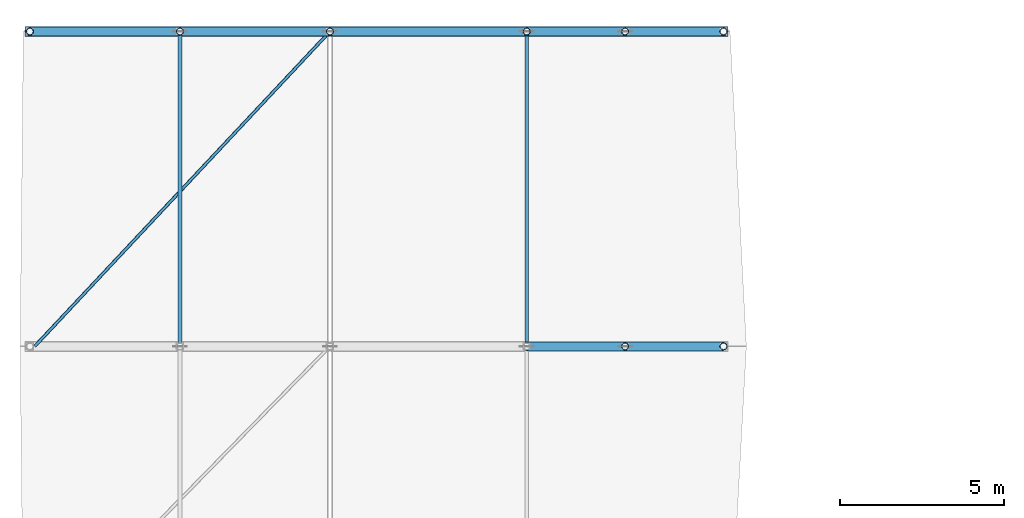
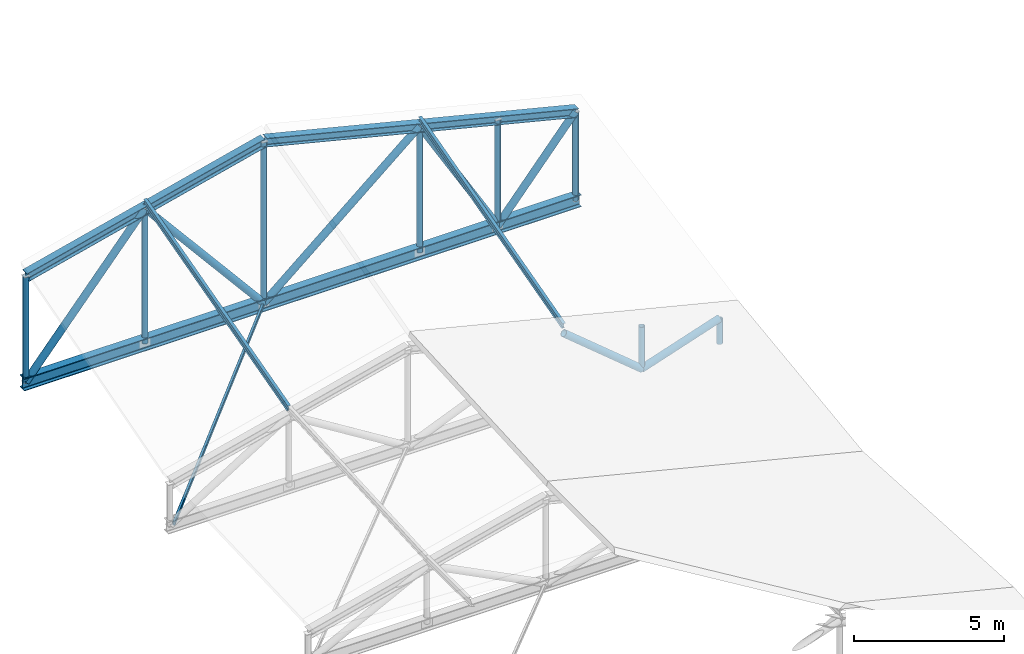
# One storey, part 22 of 61: 20 members, 1 beam.
"""IFC4 building model written with IfcOpenShell, lengths in metres."""

from ifc_helpers import new_model, si_unit, direction, frame, origin, origin_2d, place, context, subcontext, project, spatial, hollow_rectangle, hollow_circle, i_section, extrude, material, material_profile, profile_set, type_object, element, save


model = new_model("IFC4")

# Units and contexts
model_context = context("Model", 3, precision=1e-05, world=origin(), true_north=direction((0.0, 1.0)))
body_context = subcontext(model_context, "Body", "Model", "MODEL_VIEW")
ifc_project = project(units=[si_unit("LENGTHUNIT", "METRE"), si_unit("AREAUNIT", "SQUARE_METRE"), si_unit("VOLUMEUNIT", "CUBIC_METRE"), si_unit("PLANEANGLEUNIT", "RADIAN"), si_unit("MASSUNIT", "GRAM", prefix="KILO")], contexts=[model_context])

# Site, building, storey
site_placement = place(None, origin())
site = spatial("IfcSite", under=ifc_project, at=site_placement, CompositionType="ELEMENT")
building_placement = place(site_placement, origin())
building = spatial("IfcBuilding", under=site, at=building_placement, Name="Bozkorgan Art Gallery", CompositionType="ELEMENT")
storey_placement = place(building_placement, frame((0.0, 0.0, 10.199951171875)))
storey = spatial("IfcBuildingStorey", under=building, at=storey_placement, Name="L02", CompositionType="ELEMENT", Elevation=10.199951171875)

# Beam
ifc_material = material(Name="Steel S355J2", Category="steel")
ifc_material_profile_1 = material_profile(ifc_material, i_section(OverallWidth=0.300048828125, OverallDepth=0.5, WebThickness=0.014404296875, FlangeThickness=0.028076171875, FilletRadius=0.027099609375, at=origin_2d()), Name="HEB 500")
ifc_profile_set_1 = profile_set([ifc_material_profile_1], Name="Steel S355J2")
beam_type = type_object("IfcBeamType", Name="BEAM-TO-52", PredefinedType="BEAM", material=ifc_profile_set_1)
beam_placement = place(storey_placement, frame((1.7099609375, 112.39990234375, 0.25), z_axis=(1.0, 0.0, 0.0), x_axis=(0.0, 1.0, 0.0)))
element("IfcBeam", 1, at=beam_placement, inside=storey, type_object=beam_type, Name="ROOF-V2-MAIN roof truss 8 bottom chord", PredefinedType="BEAM", context=body_context, shape_type="SweptSolid", body=[
    extrude(i_section(OverallWidth=0.300048828125, OverallDepth=0.5, WebThickness=0.014404296875, FlangeThickness=0.028076171875, FilletRadius=0.027099609375, at=origin_2d()), origin(), (0.0, 0.0, 1.0), 21.429931640625),
])

# Members
ifc_material_profile_2 = material_profile(ifc_material, i_section(OverallWidth=0.1201171875, OverallDepth=0.239990234375, WebThickness=0.006103515625, FlangeThickness=0.009765625, FilletRadius=0.014892578125, at=origin_2d()), Name="IPE 240")
ifc_profile_set_2 = profile_set([ifc_material_profile_2], Name="Steel S355J2")
member_type_1 = type_object("IfcMemberType", Name="MEMBER-PR-34", PredefinedType="PURLIN", material=ifc_profile_set_2)
for number, where, z_axis, x_axis, name in (
    (2, (6.425048828125, 102.800048828125, 3.39306640625), (0.0, 0.965012018837, 0.26220565116), (-1.0, 0.0, 0.0), "ROOF-V2-MAIN roof purlin 7W"),
    (3, (17.0, 102.800048828125, 3.03759765625), (0.0, 0.965012018837, 0.26220565116), (-1.0, 0.0, 0.0), "ROOF-V2-MAIN roof purlin 7E"),
):
    element("IfcMember", number, at=place(storey_placement, frame(where, z_axis=z_axis, x_axis=x_axis)), inside=storey, type_object=member_type_1, Name=name, PredefinedType="PURLIN", context=body_context, shape_type="SweptSolid", body=[
        extrude(i_section(OverallWidth=0.1201171875, OverallDepth=0.239990234375, WebThickness=0.006103515625, FlangeThickness=0.009765625, FilletRadius=0.014892578125, at=origin_2d()), origin(), (0.0, 0.0, 1.0), 9.947998046875),
    ])
ifc_material_profile_3 = material_profile(ifc_material, i_section(OverallWidth=0.300048828125, OverallDepth=0.35009765625, WebThickness=0.010009765625, FlangeThickness=0.017578125, FilletRadius=0.027099609375, at=origin_2d()), Name="HEA 360")
ifc_profile_set_3 = profile_set([ifc_material_profile_3], Name="Steel S355J2")
member_type_2 = type_object("IfcMemberType", Name="MEMBER-TC-31", PredefinedType="CHORD", material=ifc_profile_set_3)
member_1_placement = place(storey_placement, frame((1.85009765625, 112.39990234375, 4.565673828125), z_axis=(0.97029156257, 0.0, 0.241938594701), x_axis=(0.0, 1.0, 0.0)))
element("IfcMember", 4, at=member_1_placement, inside=storey, type_object=member_type_2, Name="ROOF-V2-MAIN roof truss 8 west top chord", PredefinedType="CHORD", context=body_context, shape_type="SweptSolid", body=[
    extrude(i_section(OverallWidth=0.300048828125, OverallDepth=0.35009765625, WebThickness=0.010009765625, FlangeThickness=0.017578125, FilletRadius=0.027099609375, at=origin_2d()), origin(), (0.0, 0.0, 1.0), 9.43017578125),
])
member_2_placement = place(storey_placement, frame((11.0, 112.39990234375, 6.84716796875), z_axis=(0.970295587241, 0.0, -0.24192245324), x_axis=(0.0, 1.0, 0.0)))
element("IfcMember", 5, at=member_2_placement, inside=storey, type_object=member_type_2, Name="ROOF-V2-MAIN roof truss 8 east top chord", PredefinedType="CHORD", context=body_context, shape_type="SweptSolid", body=[
    extrude(i_section(OverallWidth=0.300048828125, OverallDepth=0.35009765625, WebThickness=0.010009765625, FlangeThickness=0.017578125, FilletRadius=0.027099609375, at=origin_2d()), origin(), (0.0, 0.0, 1.0), 12.367431640625),
])
ifc_material_profile_4 = material_profile(ifc_material, hollow_circle(Radius=0.109619140625, WallThickness=0.010009765625, at=origin_2d()), Name="CHS 219.1x10")
ifc_profile_set_4 = profile_set([ifc_material_profile_4], Name="Steel S355J2")
member_type_3 = type_object("IfcMemberType", Name="MEMBER-TP-78", PredefinedType="POST", material=ifc_profile_set_4)
member_3_placement = place(storey_placement, frame((20.0, 102.800048828125, 0.25), z_axis=(0.0, 0.0, 1.0), x_axis=(1.0, 0.0, 0.0)))
element("IfcMember", 6, at=member_3_placement, inside=storey, type_object=member_type_3, Name="ROOF-V2-MAIN roof truss 7 post 4", PredefinedType="POST", context=body_context, shape_type="SweptSolid", body=[
    extrude(hollow_circle(Radius=0.109619140625, WallThickness=0.010009765625, at=origin_2d()), origin(), (0.0, 0.0, 1.0), 1.74462890625),
])
member_4_placement = place(storey_placement, frame((23.0, 102.800048828125, 0.25), z_axis=(0.0, 0.0, 1.0), x_axis=(1.0, 0.0, 0.0)))
element("IfcMember", 7, at=member_4_placement, inside=storey, type_object=member_type_3, Name="ROOF-V2-MAIN roof truss 7 post 5", PredefinedType="POST", context=body_context, shape_type="SweptSolid", body=[
    extrude(hollow_circle(Radius=0.109619140625, WallThickness=0.010009765625, at=origin_2d()), origin(), (0.0, 0.0, 1.0), 0.996826171875),
])
member_5_placement = place(storey_placement, frame((1.85009765625, 112.39990234375, 0.25), z_axis=(0.0, 0.0, 1.0), x_axis=(1.0, 0.0, 0.0)))
element("IfcMember", 8, at=member_5_placement, inside=storey, type_object=member_type_3, Name="ROOF-V2-MAIN roof truss 8 post 0", PredefinedType="POST", context=body_context, shape_type="SweptSolid", body=[
    extrude(hollow_circle(Radius=0.109619140625, WallThickness=0.010009765625, at=origin_2d()), origin(), (0.0, 0.0, 1.0), 4.315673828125),
])
member_6_placement = place(storey_placement, frame((6.425048828125, 112.39990234375, 0.25), z_axis=(0.0, 0.0, 1.0), x_axis=(1.0, 0.0, 0.0)))
element("IfcMember", 9, at=member_6_placement, inside=storey, type_object=member_type_3, Name="ROOF-V2-MAIN roof truss 8 post 1", PredefinedType="POST", context=body_context, shape_type="SweptSolid", body=[
    extrude(hollow_circle(Radius=0.109619140625, WallThickness=0.010009765625, at=origin_2d()), origin(), (0.0, 0.0, 1.0), 5.456298828125),
])
member_7_placement = place(storey_placement, frame((11.0, 112.39990234375, 0.25), z_axis=(0.0, 0.0, 1.0), x_axis=(1.0, 0.0, 0.0)))
element("IfcMember", 10, at=member_7_placement, inside=storey, type_object=member_type_3, Name="ROOF-V2-MAIN roof truss 8 post 2", PredefinedType="POST", context=body_context, shape_type="SweptSolid", body=[
    extrude(hollow_circle(Radius=0.109619140625, WallThickness=0.010009765625, at=origin_2d()), origin(), (0.0, 0.0, 1.0), 6.59716796875),
])
member_8_placement = place(storey_placement, frame((17.0, 112.39990234375, 0.25), z_axis=(0.0, 0.0, 1.0), x_axis=(1.0, 0.0, 0.0)))
element("IfcMember", 11, at=member_8_placement, inside=storey, type_object=member_type_3, Name="ROOF-V2-MAIN roof truss 8 post 3", PredefinedType="POST", context=body_context, shape_type="SweptSolid", body=[
    extrude(hollow_circle(Radius=0.109619140625, WallThickness=0.010009765625, at=origin_2d()), origin(), (0.0, 0.0, 1.0), 5.10107421875),
])
member_9_placement = place(storey_placement, frame((20.0, 112.39990234375, 0.25), z_axis=(0.0, 0.0, 1.0), x_axis=(1.0, 0.0, 0.0)))
element("IfcMember", 12, at=member_9_placement, inside=storey, type_object=member_type_3, Name="ROOF-V2-MAIN roof truss 8 post 4", PredefinedType="POST", context=body_context, shape_type="SweptSolid", body=[
    extrude(hollow_circle(Radius=0.109619140625, WallThickness=0.010009765625, at=origin_2d()), origin(), (0.0, 0.0, 1.0), 4.35302734375),
])
member_10_placement = place(storey_placement, frame((23.0, 112.39990234375, 0.25), z_axis=(0.0, 0.0, 1.0), x_axis=(1.0, 0.0, 0.0)))
element("IfcMember", 13, at=member_10_placement, inside=storey, type_object=member_type_3, Name="ROOF-V2-MAIN roof truss 8 post 5", PredefinedType="POST", context=body_context, shape_type="SweptSolid", body=[
    extrude(hollow_circle(Radius=0.109619140625, WallThickness=0.010009765625, at=origin_2d()), origin(), (0.0, 0.0, 1.0), 3.605224609375),
])
ifc_material_profile_5 = material_profile(ifc_material, hollow_circle(Radius=0.136474609375, WallThickness=0.012451171875, at=origin_2d()), Name="CHS 273x12.5")
ifc_profile_set_5 = profile_set([ifc_material_profile_5], Name="Steel S355J2")
member_type_4 = type_object("IfcMemberType", Name="MEMBER-TW-28", PredefinedType="BRACE", material=ifc_profile_set_5)
member_11_placement = place(storey_placement, frame((17.0, 102.800048828125, 2.74267578125), z_axis=(0.769143984991, 0.0, -0.639075527894), x_axis=(0.0, 1.0, 0.0)))
element("IfcMember", 14, at=member_11_placement, inside=storey, type_object=member_type_4, Name="ROOF-V2-MAIN roof truss 7 diagonal 4", PredefinedType="BRACE", context=body_context, shape_type="SweptSolid", body=[
    extrude(hollow_circle(Radius=0.136474609375, WallThickness=0.012451171875, at=origin_2d()), origin(), (0.0, 0.0, 1.0), 3.900390625),
])
member_12_placement = place(storey_placement, frame((20.0, 102.800048828125, 0.25), z_axis=(0.948984058976, 0.0, 0.315324048893), x_axis=(0.0, 1.0, 0.0)))
element("IfcMember", 15, at=member_12_placement, inside=storey, type_object=member_type_4, Name="ROOF-V2-MAIN roof truss 7 diagonal 5", PredefinedType="BRACE", context=body_context, shape_type="SweptSolid", body=[
    extrude(hollow_circle(Radius=0.136474609375, WallThickness=0.012451171875, at=origin_2d()), origin(), (0.0, 0.0, 1.0), 3.161376953125),
])
for number, where, z_axis, x_axis, name in (
    (16, (1.85009765625, 112.39990234375, 0.25), (0.642505121739, 0.0, 0.766281389921), (0.0, 1.0, 0.0), "ROOF-V2-MAIN roof truss 8 diagonal 1"),
    (17, (6.425048828125, 112.39990234375, 5.706298828125), (0.642505121739, 0.0, -0.766281389921), (0.0, 1.0, 0.0), "ROOF-V2-MAIN roof truss 8 diagonal 2"),
):
    element("IfcMember", number, at=place(storey_placement, frame(where, z_axis=z_axis, x_axis=x_axis)), inside=storey, type_object=member_type_4, Name=name, PredefinedType="BRACE", context=body_context, shape_type="SweptSolid", body=[
        extrude(hollow_circle(Radius=0.136474609375, WallThickness=0.012451171875, at=origin_2d()), origin(), (0.0, 0.0, 1.0), 7.12060546875),
    ])
member_13_placement = place(storey_placement, frame((11.0, 112.39990234375, 0.25), z_axis=(0.761872003087, 0.0, 0.647727605489), x_axis=(0.0, 1.0, 0.0)))
element("IfcMember", 18, at=member_13_placement, inside=storey, type_object=member_type_4, Name="ROOF-V2-MAIN roof truss 8 diagonal 3", PredefinedType="BRACE", context=body_context, shape_type="SweptSolid", body=[
    extrude(hollow_circle(Radius=0.136474609375, WallThickness=0.012451171875, at=origin_2d()), origin(), (0.0, 0.0, 1.0), 7.875244140625),
])
member_14_placement = place(storey_placement, frame((17.0, 112.39990234375, 5.35107421875), z_axis=(0.506940796136, 0.0, -0.861980875201), x_axis=(0.0, 1.0, 0.0)))
element("IfcMember", 19, at=member_14_placement, inside=storey, type_object=member_type_4, Name="ROOF-V2-MAIN roof truss 8 diagonal 4", PredefinedType="BRACE", context=body_context, shape_type="SweptSolid", body=[
    extrude(hollow_circle(Radius=0.136474609375, WallThickness=0.012451171875, at=origin_2d()), origin(), (0.0, 0.0, 1.0), 5.91796875),
])
member_15_placement = place(storey_placement, frame((20.0, 112.39990234375, 0.25), z_axis=(0.639636392568, 0.0, 0.76867762118), x_axis=(0.0, 1.0, 0.0)))
element("IfcMember", 20, at=member_15_placement, inside=storey, type_object=member_type_4, Name="ROOF-V2-MAIN roof truss 8 diagonal 5", PredefinedType="BRACE", context=body_context, shape_type="SweptSolid", body=[
    extrude(hollow_circle(Radius=0.136474609375, WallThickness=0.012451171875, at=origin_2d()), origin(), (0.0, 0.0, 1.0), 4.690185546875),
])
ifc_material_profile_6 = material_profile(ifc_material, hollow_rectangle(XDim=0.10009765625, YDim=0.14990234375, WallThickness=0.008056640625, InnerFilletRadius=0.011962890625, OuterFilletRadius=0.02001953125, at=origin_2d()), Name="RHS 150x100x8")
ifc_profile_set_6 = profile_set([ifc_material_profile_6], Name="Steel S355J2")
member_type_5 = type_object("IfcMemberType", Name="MEMBER-WB-10", PredefinedType="BRACE", material=ifc_profile_set_6)
member_16_placement = place(storey_placement, frame((2.0, 102.800048828125, 0.25), z_axis=(0.683946683262, 0.729531996868, 0.0), x_axis=(-0.729531996868, 0.683946683262, 0.0)))
element("IfcMember", 21, at=member_16_placement, inside=storey, type_object=member_type_5, Name="ROOF-V2-MAIN roof diaphragm wind brace 6", PredefinedType="BRACE", context=body_context, shape_type="SweptSolid", body=[
    extrude(hollow_rectangle(XDim=0.10009765625, YDim=0.14990234375, WallThickness=0.008056640625, InnerFilletRadius=0.011962890625, OuterFilletRadius=0.02001953125, at=origin_2d()), origin(), (0.0, 0.0, 1.0), 13.158935546875),
])

save(model, "model.ifc")
